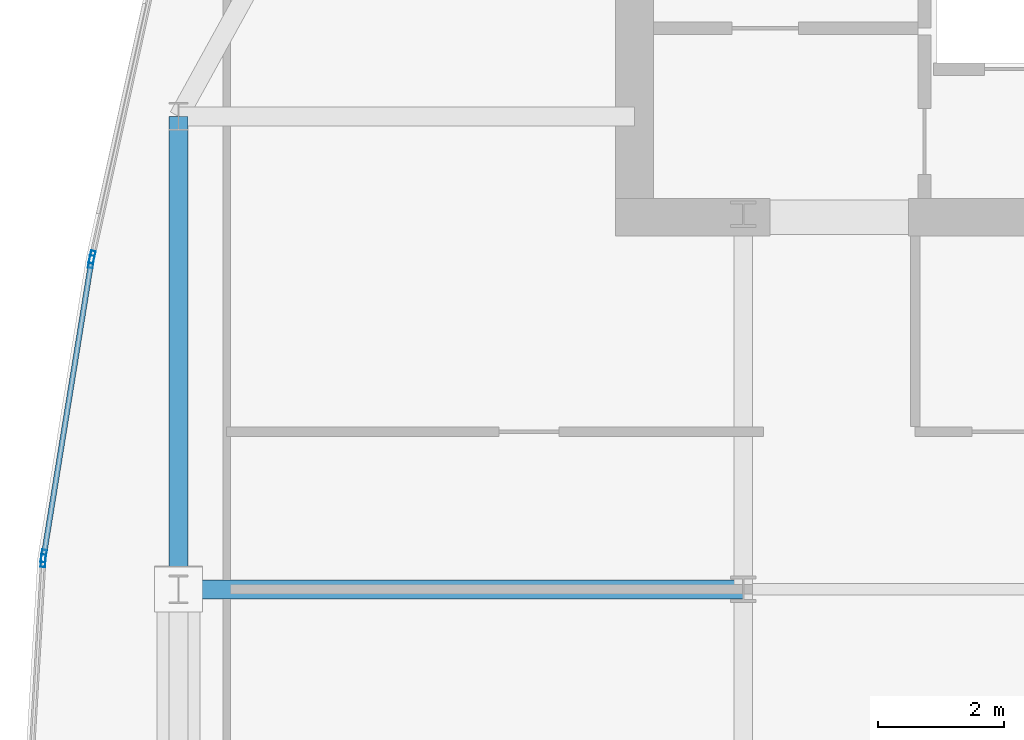
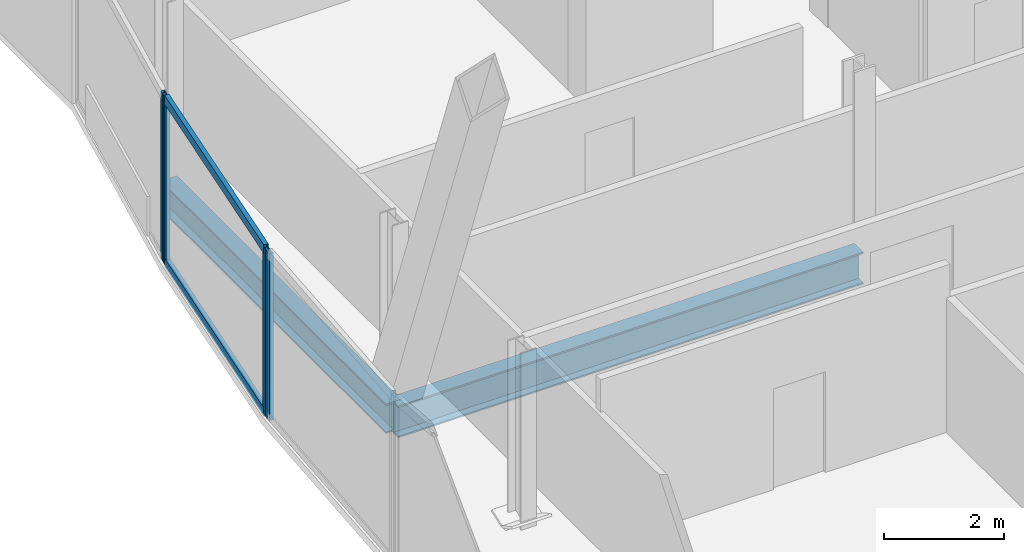
# One storey, part 12 of 31: 6 members, 2 beams, 3 elements without a shape of their own.
"""IFC4 building model written with IfcOpenShell, lengths in metres."""

from ifc_helpers import new_model, si_unit, direction, frame, origin, origin_2d, place, context, subcontext, project, spatial, hollow_rectangle, i_section, extrude, material, material_profile, profile_set, type_object, element, aggregate, save


model = new_model("IFC4")

# Units and contexts
model_context = context("Model", 3, precision=1e-05, world=origin(), true_north=direction((0.0, 1.0)))
body_context = subcontext(model_context, "Body", "Model", "MODEL_VIEW")
ifc_project = project(units=[si_unit("LENGTHUNIT", "METRE"), si_unit("AREAUNIT", "SQUARE_METRE"), si_unit("VOLUMEUNIT", "CUBIC_METRE"), si_unit("PLANEANGLEUNIT", "RADIAN"), si_unit("MASSUNIT", "GRAM", prefix="KILO")], contexts=[model_context])

# Site, building, storey
site_placement = place(None, origin())
site = spatial("IfcSite", under=ifc_project, at=site_placement, CompositionType="ELEMENT")
building_placement = place(site_placement, origin())
building = spatial("IfcBuilding", under=site, at=building_placement, Name="Khoronbel Lancet Exchange", CompositionType="ELEMENT")
storey_placement = place(building_placement, frame((0.0, 0.0, 261.800048828125)))
storey = spatial("IfcBuildingStorey", under=building, at=storey_placement, Name="L67", CompositionType="ELEMENT", Elevation=261.800048828125)

# Beams
ifc_material_1 = material(Name="Steel S355", Category="steel")
ifc_material_profile_1 = material_profile(ifc_material_1, i_section(OverallWidth=0.300048828125, OverallDepth=0.64990234375, WebThickness=0.01611328125, FlangeThickness=0.031005859375, at=origin_2d()), Name="HEB 650")
ifc_profile_set_1 = profile_set([ifc_material_profile_1], Name="Steel S355")
beam_type_1 = type_object("IfcBeamType", Name="BM-BG4", PredefinedType="BEAM", material=ifc_profile_set_1)
beam_1_placement = place(storey_placement, frame((9.27001953125, 35.699951171875, -0.485107421875), z_axis=(1.0, 0.0, 0.0), x_axis=(0.0, 1.0, 0.0)))
element("IfcBeam", 1, at=beam_1_placement, inside=storey, type_object=beam_type_1, Name="Level L67 west lens tie girder LG4W", PredefinedType="BEAM", context=body_context, shape_type="SweptSolid", body=[
    extrude(i_section(OverallWidth=0.300048828125, OverallDepth=0.64990234375, WebThickness=0.01611328125, FlangeThickness=0.031005859375, at=origin_2d()), origin(), (0.0, 0.0, 1.0), 8.955078125),
])
ifc_material_profile_2 = material_profile(ifc_material_1, i_section(OverallWidth=0.300048828125, OverallDepth=0.60009765625, WebThickness=0.015380859375, FlangeThickness=0.030029296875, at=origin_2d()), Name="HEB 600")
ifc_profile_set_2 = profile_set([ifc_material_profile_2], Name="Steel S355")
beam_type_2 = type_object("IfcBeamType", Name="BM-BSP2", PredefinedType="SPANDREL", material=ifc_profile_set_2)
beam_2_placement = place(storey_placement, frame((9.27001953125, 43.199951171875, -0.4599609375), z_axis=(0.0, -1.0, 0.0), x_axis=(1.0, 0.0, 0.0)))
element("IfcBeam", 2, at=beam_2_placement, inside=storey, type_object=beam_type_2, Name="Level L67 perimeter spandrel beam SP17", PredefinedType="SPANDREL", context=body_context, shape_type="SweptSolid", body=[
    extrude(i_section(OverallWidth=0.300048828125, OverallDepth=0.60009765625, WebThickness=0.015380859375, FlangeThickness=0.030029296875, at=origin_2d()), origin(), (0.0, 0.0, 1.0), 7.5),
])

# Curtain wall, member
ifc_material_2 = material(Name="Low-E Solar Control Insulating Glass", Category="glass")
curtain_wall_type = type_object("IfcCurtainWallType", Name="CW-4", PredefinedType="NOTDEFINED", material=ifc_material_2)
curtain_wall_1_placement = place(storey_placement, origin())
curtain_wall_1 = element("IfcCurtainWall", 3, at=curtain_wall_1_placement, inside=storey, type_object=curtain_wall_type, Name="Unitised curtain wall CW-L67-E07", PredefinedType="NOTDEFINED")
ifc_material_3 = material(Name="Bronze-Anodised Aluminium 6063-T6", Category="aluminium")
ifc_material_profile_3 = material_profile(ifc_material_3, hollow_rectangle(XDim=0.074951171875, YDim=0.199951171875, WallThickness=0.0048828125, at=origin_2d()), Name="ALU MULLION 75x200")
ifc_profile_set_3 = profile_set([ifc_material_profile_3], Name="Bronze-Anodised Aluminium 6063-T6")
member_type_1 = type_object("IfcMemberType", Name="MEM-CWM2", PredefinedType="MULLION", material=ifc_profile_set_3)
member_1_placement = place(storey_placement, frame((7.1220703125, 36.152587890625, 0.0), z_axis=(0.0, 0.0, 1.0), x_axis=(-0.998257411242, 0.059009667857, 0.0)))
member_1 = element("IfcMember", 4, at=member_1_placement, type_object=member_type_1, Name="CW4 mullion 2", PredefinedType="MULLION", context=body_context, shape_type="SweptSolid", body=[
    extrude(hollow_rectangle(XDim=0.074951171875, YDim=0.199951171875, WallThickness=0.0048828125, at=origin_2d()), origin(), (0.0, 0.0, 1.0), 3.39990234375),
])
aggregate(curtain_wall_1, [member_1])

# Curtain wall, members
curtain_wall_2_placement = place(storey_placement, origin())
curtain_wall_2 = element("IfcCurtainWall", 5, at=curtain_wall_2_placement, inside=storey, type_object=curtain_wall_type, Name="Unitised curtain wall CW-L67-E08", PredefinedType="NOTDEFINED")
member_2_placement = place(storey_placement, frame((7.130126953125, 36.22705078125, 0.0), z_axis=(0.0, 0.0, 1.0), x_axis=(-0.987205103846, 0.159455582972, 0.0)))
member_2 = element("IfcMember", 6, at=member_2_placement, type_object=member_type_1, Name="CW4 mullion 1", PredefinedType="MULLION", context=body_context, shape_type="SweptSolid", body=[
    extrude(hollow_rectangle(XDim=0.074951171875, YDim=0.199951171875, WallThickness=0.0048828125, at=origin_2d()), origin(), (0.0, 0.0, 1.0), 3.39990234375),
])
member_3_placement = place(storey_placement, frame((7.88427734375, 40.89599609375, 0.0), z_axis=(0.0, 0.0, 1.0), x_axis=(-0.987205103846, 0.159455582972, 0.0)))
member_3 = element("IfcMember", 7, at=member_3_placement, type_object=member_type_1, Name="CW4 mullion 2", PredefinedType="MULLION", context=body_context, shape_type="SweptSolid", body=[
    extrude(hollow_rectangle(XDim=0.074951171875, YDim=0.199951171875, WallThickness=0.0048828125, at=origin_2d()), origin(), (0.0, 0.0, 1.0), 3.39990234375),
])

# Curtain wall, member
curtain_wall_3_placement = place(storey_placement, origin())
curtain_wall_3 = element("IfcCurtainWall", 8, at=curtain_wall_3_placement, inside=storey, type_object=curtain_wall_type, Name="Unitised curtain wall CW-L67-E09", PredefinedType="NOTDEFINED")
member_4_placement = place(storey_placement, frame((7.8984375, 40.9697265625, 0.0), z_axis=(0.0, 0.0, 1.0), x_axis=(-0.976509102721, 0.215476152515, 0.0)))
member_4 = element("IfcMember", 9, at=member_4_placement, type_object=member_type_1, Name="CW4 mullion 1", PredefinedType="MULLION", context=body_context, shape_type="SweptSolid", body=[
    extrude(hollow_rectangle(XDim=0.074951171875, YDim=0.199951171875, WallThickness=0.0048828125, at=origin_2d()), origin(), (0.0, 0.0, 1.0), 3.39990234375),
])
aggregate(curtain_wall_3, [member_4])

# Member
ifc_material_profile_4 = material_profile(ifc_material_3, hollow_rectangle(XDim=0.0849609375, YDim=0.179931640625, WallThickness=0.0048828125, at=origin_2d()), Name="ALU TRANSOM 85x180")
ifc_profile_set_4 = profile_set([ifc_material_profile_4], Name="Bronze-Anodised Aluminium 6063-T6")
member_type_2 = type_object("IfcMemberType", Name="MEM-CWT1", PredefinedType="USERDEFINED", material=ifc_profile_set_4)
member_5_placement = place(storey_placement, frame((7.13623046875, 36.26416015625, 0.04248046875), z_axis=(0.159455064568, 0.987205187579, 0.0), x_axis=(-0.987205187579, 0.159455064568, 0.0)))
member_5 = element("IfcMember", 10, at=member_5_placement, type_object=member_type_2, Name="CW4 transom 1.1", ObjectType="TRANSOM", PredefinedType="USERDEFINED", context=body_context, shape_type="SweptSolid", body=[
    extrude(hollow_rectangle(XDim=0.0849609375, YDim=0.179931640625, WallThickness=0.0048828125, at=origin_2d()), origin(), (0.0, 0.0, 1.0), 4.654541015625),
])

member_6_placement = place(storey_placement, frame((7.13623046875, 36.26416015625, 3.357421875), z_axis=(0.159455064568, 0.987205187579, 0.0), x_axis=(-0.987205187579, 0.159455064568, 0.0)))
member_6 = element("IfcMember", 11, at=member_6_placement, type_object=member_type_2, Name="CW4 transom 1.2", ObjectType="TRANSOM", PredefinedType="USERDEFINED", context=body_context, shape_type="SweptSolid", body=[
    extrude(hollow_rectangle(XDim=0.0849609375, YDim=0.179931640625, WallThickness=0.0048828125, at=origin_2d()), origin(), (0.0, 0.0, 1.0), 4.654541015625),
])

aggregate(curtain_wall_2, [member_2, member_3, member_5, member_6])

save(model, "model.ifc")
